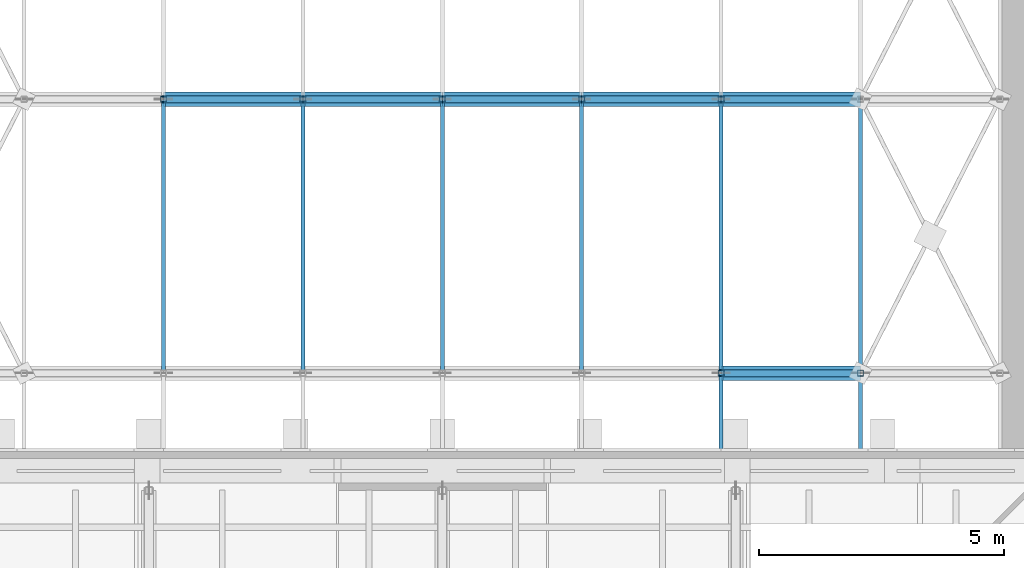
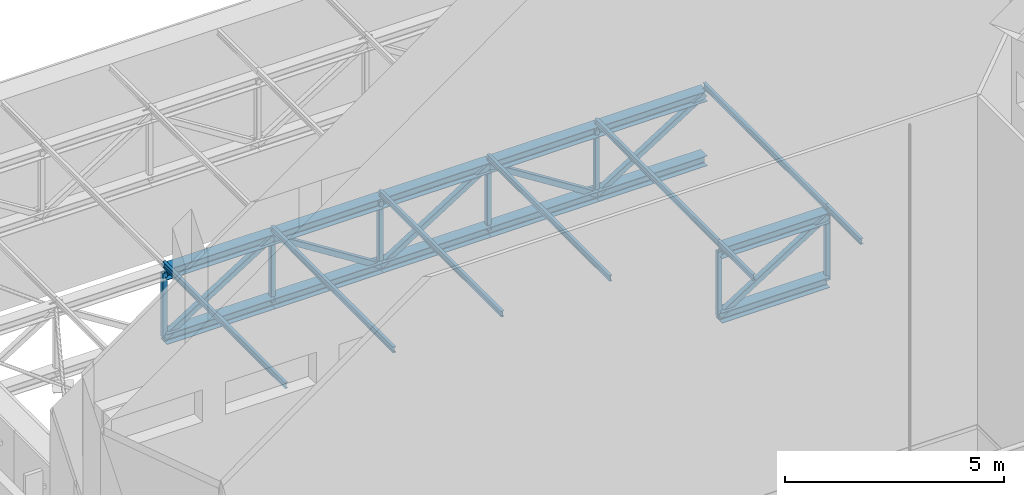
# One storey, part 38 of 55: 33 members.
"""IFC4 building model written with IfcOpenShell, lengths in metres."""

import ifcopenshell
import ifcopenshell.guid

model = None  # the IFC model being written
_history = None  # IfcOwnerHistory: only IFC2X3 demands one
_inside = {}  # id of a spatial element -> (the spatial element, [elements in it])
_under = {}  # id of a project, library or spatial element -> (it, [spatial elements below it])
_declared = {}  # id of a project -> (the project, [libraries it declares])
_typed = {}  # id of a type object -> (the type object, [elements of that type])
_made_of = {}  # id of a material, layer set ... -> (it, [elements and type objects made of it])


def new_model(schema):
    """Start an empty IFC model of exactly this schema.

    Asked for "IFC4X3", IfcOpenShell would pick the latest addendum, in which some entities
    have other attributes; the version numbers below select the first issue.
    IFC2X3 requires an IfcOwnerHistory on every rooted entity: one is made here for all.
    """
    global model, _history
    if schema == "IFC4X3":
        model = ifcopenshell.file(schema_version=(4, 3, 0, 0))
    else:
        model = ifcopenshell.file(schema=schema)
    _inside.clear()
    _under.clear()
    _declared.clear()
    _typed.clear()
    _made_of.clear()
    _history = None
    if model.schema == "IFC2X3":
        org = make("IfcOrganization", Name="unknown")
        user = make(
            "IfcPersonAndOrganization",
            ThePerson=make("IfcPerson", FamilyName="unknown"),
            TheOrganization=org,
        )
        app = make(
            "IfcApplication",
            ApplicationDeveloper=org,
            Version="unknown",
            ApplicationFullName="unknown",
            ApplicationIdentifier="unknown",
        )
        _history = make(
            "IfcOwnerHistory",
            OwningUser=user,
            OwningApplication=app,
            ChangeAction="ADDED",
            CreationDate=0,
        )
    return model


def make(cls, **values):
    """One entity of the class cls with the attributes given. An attribute that is None is left unset."""
    return model.create_entity(
        cls, **{name: value for name, value in values.items() if value is not None}
    )


def rooted(cls, **values):
    """An entity with a GlobalId (a new one), such as an element, a storey or a relation."""
    return make(cls, GlobalId=ifcopenshell.guid.new(), OwnerHistory=_history, **values)


def si_unit(unit_type, name, prefix=None):
    """IfcSIUnit, for example si_unit("LENGTHUNIT", "METRE", prefix="MILLI")."""
    return make("IfcSIUnit", UnitType=unit_type, Prefix=prefix, Name=name)


def assignment(units):
    """IfcUnitAssignment: the units of a project."""
    return None if units is None else make("IfcUnitAssignment", Units=units)


def point(xyz):
    """IfcCartesianPoint."""
    return None if xyz is None else make("IfcCartesianPoint", Coordinates=xyz)


def direction(xyz):
    """IfcDirection."""
    return None if xyz is None else make("IfcDirection", DirectionRatios=xyz)


def frame(location, z_axis=None, x_axis=None):
    """IfcAxis2Placement3D, a coordinate frame: its origin and axes. An axis left out is left unset."""
    return make(
        "IfcAxis2Placement3D",
        Location=point(location),
        Axis=direction(z_axis),
        RefDirection=direction(x_axis),
    )


def frame_2d(location, x_axis=None):
    """IfcAxis2Placement2D, a coordinate frame in the plane: its origin and x axis."""
    return make(
        "IfcAxis2Placement2D", Location=point(location), RefDirection=direction(x_axis)
    )


def origin():
    """The frame at (0, 0, 0) with its axes left unset."""
    return frame((0.0, 0.0, 0.0))


def origin_2d():
    """The frame at (0, 0) in the plane with its x axis left unset."""
    return frame_2d((0.0, 0.0))


def place(relative_to, where):
    """IfcLocalPlacement: puts the frame where relative to a parent placement (None: the world)."""
    return make(
        "IfcLocalPlacement", PlacementRelTo=relative_to, RelativePlacement=where
    )


def context(
    kind, dimensions, precision=None, world=None, true_north=None, identifier=None
):
    """IfcGeometricRepresentationContext, for example the 3D "Model" context."""
    return make(
        "IfcGeometricRepresentationContext",
        ContextIdentifier=identifier,
        ContextType=kind,
        CoordinateSpaceDimension=dimensions,
        Precision=precision,
        WorldCoordinateSystem=world,
        TrueNorth=true_north,
    )


def subcontext(parent, identifier, kind, view, scale=None):
    """IfcGeometricRepresentationSubContext, for example "Body" below "Model"."""
    return make(
        "IfcGeometricRepresentationSubContext",
        ContextIdentifier=identifier,
        ContextType=kind,
        ParentContext=parent,
        TargetScale=scale,
        TargetView=view,
    )


def project(units=None, contexts=None):
    """IfcProject with its units and contexts."""
    return rooted(
        "IfcProject",
        Name="project",
        RepresentationContexts=contexts,
        UnitsInContext=assignment(units),
    )


def spatial(cls, under=None, at=None, **own):
    """A site, building, storey or space (cls), placed at a placement, below another one or the project."""
    s = rooted(cls, ObjectPlacement=at, **own)
    if under is not None:
        _under.setdefault(under.id(), (under, []))[1].append(s)
    return s


def profile(cls, at=None, kind="AREA", **sizes):
    """A parametric profile (cls). Its sizes go by their IFC names, for example OverallWidth=200.0."""
    return make(cls, ProfileType=kind, Position=at, **sizes)


def hollow_rectangle(**sizes):
    """IfcRectangleHollowProfileDef."""
    return profile("IfcRectangleHollowProfileDef", **sizes)


def i_section(**sizes):
    """IfcIShapeProfileDef."""
    return profile("IfcIShapeProfileDef", **sizes)


def extrude(swept, where, along, depth):
    """IfcExtrudedAreaSolid: the profile swept, set in the frame where, extruded along a direction by depth."""
    return make(
        "IfcExtrudedAreaSolid",
        SweptArea=swept,
        Position=where,
        ExtrudedDirection=direction(along),
        Depth=depth,
    )


def shape(context_of_items, identifier, shape_type, items):
    """IfcShapeRepresentation: the items that make up one representation, for example the "Body"."""
    return make(
        "IfcShapeRepresentation",
        ContextOfItems=context_of_items,
        RepresentationIdentifier=identifier,
        RepresentationType=shape_type,
        Items=items,
    )


def material(Name=None, Category=None):
    """IfcMaterial."""
    return make("IfcMaterial", Name=Name, Category=Category)


def material_profile(
    of_material, cross_section, Name=None, Category=None, Priority=None
):
    """IfcMaterialProfile: a cross section and its material."""
    return make(
        "IfcMaterialProfile",
        Name=Name,
        Material=of_material,
        Profile=cross_section,
        Priority=Priority,
        Category=Category,
    )


def profile_set(profiles, Name=None, composite=None):
    """IfcMaterialProfileSet."""
    return make(
        "IfcMaterialProfileSet",
        Name=Name,
        MaterialProfiles=profiles,
        CompositeProfile=composite,
    )


def made_of(thing, what):
    """Note that an element or type object is made of a material, layer set ...; save() writes the relation."""
    if what is not None:
        _made_of.setdefault(what.id(), (what, []))[1].append(thing)
    return thing


def type_object(cls, material=None, **own):
    """A type object (cls), such as IfcWallType, which elements share."""
    return made_of(rooted(cls, **own), material)


def element(
    cls,
    number,
    at=None,
    inside=None,
    cuts=None,
    type_object=None,
    material=None,
    context=None,
    identifier="Body",
    shape_type=None,
    held_by="IfcProductDefinitionShape",
    body=None,
    shapes=None,
    **own,
):
    """One element of the class cls, such as IfcWall. Its Tag is "e" and its number.

    at: its placement. inside: the storey or other place that contains it. cuts: it is an
    opening in that element (IfcRelVoidsElement). A single representation is given by context,
    identifier, shape_type and body (its items); several are given by shapes. held_by: the class
    of the entity that holds the representations. save() writes the other relations.
    """
    e = rooted(cls, Tag="e%d" % number, ObjectPlacement=at, **own)
    if body is not None:
        shapes = [shape(context, identifier, shape_type, body)]
    if shapes is not None:
        e.Representation = make(held_by, Representations=shapes)
    if inside is not None:
        _inside.setdefault(inside.id(), (inside, []))[1].append(e)
    if cuts is not None:
        rooted(
            "IfcRelVoidsElement", RelatingBuildingElement=cuts, RelatedOpeningElement=e
        )
    if type_object is not None:
        _typed.setdefault(type_object.id(), (type_object, []))[1].append(e)
    return made_of(e, material)


def aggregate(whole, parts):
    """IfcRelAggregates: a whole, such as a stair, and the parts it consists of."""
    return rooted("IfcRelAggregates", RelatingObject=whole, RelatedObjects=parts)


def save(model, path):
    """Write the relations noted so far, then the file.

    IfcRelAggregates (storeys below a building ...), IfcRelContainedInSpatialStructure (elements
    in a storey), IfcRelDefinesByType, IfcRelAssociatesMaterial and IfcRelDeclares: one each for
    every whole, place, type object, material and project.
    """
    for whole, parts in _under.values():
        aggregate(whole, parts)
    for where, things in _inside.values():
        rooted(
            "IfcRelContainedInSpatialStructure",
            RelatedElements=things,
            RelatingStructure=where,
        )
    for kind, things in _typed.values():
        rooted("IfcRelDefinesByType", RelatedObjects=things, RelatingType=kind)
    for what, things in _made_of.values():
        rooted("IfcRelAssociatesMaterial", RelatedObjects=things, RelatingMaterial=what)
    for by, libraries in _declared.values():
        rooted("IfcRelDeclares", RelatingContext=by, RelatedDefinitions=libraries)
    model.write(path)


model = new_model("IFC4")

# Units and contexts
model_context = context("Model", 3, precision=1e-05, world=origin(), true_north=direction((0.0, 1.0)))
body_context = subcontext(model_context, "Body", "Model", "MODEL_VIEW")
ifc_project = project(units=[si_unit("LENGTHUNIT", "METRE"), si_unit("AREAUNIT", "SQUARE_METRE"), si_unit("VOLUMEUNIT", "CUBIC_METRE"), si_unit("PLANEANGLEUNIT", "RADIAN"), si_unit("MASSUNIT", "GRAM", prefix="KILO")], contexts=[model_context])

# Site, building, storey
site_placement = place(None, origin())
site = spatial("IfcSite", under=ifc_project, at=site_placement, CompositionType="ELEMENT")
building_placement = place(site_placement, origin())
building = spatial("IfcBuilding", under=site, at=building_placement, Name="Lunette Opera House", CompositionType="ELEMENT")
storey_placement = place(building_placement, frame((0.0, 0.0, 34.0)))
storey = spatial("IfcBuildingStorey", under=building, at=storey_placement, Name="L06", CompositionType="ELEMENT", Elevation=34.0)

# Members
ifc_material_1 = material(Name="Steel S355", Category="steel")
ifc_material_profile_1 = material_profile(ifc_material_1, i_section(OverallWidth=0.300048828125, OverallDepth=0.2900390625, WebThickness=0.008544921875, FlangeThickness=0.013916015625, FilletRadius=0.027099609375, at=origin_2d()), Name="HEA 300")
ifc_profile_set_1 = profile_set([ifc_material_profile_1], Name="Steel S355")
member_type_1 = type_object("IfcMemberType", Name="CHORD HEA 300", PredefinedType="CHORD", material=ifc_profile_set_1)
for number, where, z_axis, x_axis, name in (
    (1, (101.699951171875, 122.39990234375, 5.574951171875), (1.0, 0.0, 0.0), (0.0, 1.0, 0.0), "mem-ST-L06-SR-TR01-TC7"),
    (2, (101.699951171875, 122.39990234375, 3.77490234375), (1.0, 0.0, 0.0), (0.0, 1.0, 0.0), "mem-ST-L06-SR-TR01-BC7"),
):
    element("IfcMember", number, at=place(storey_placement, frame(where, z_axis=z_axis, x_axis=x_axis)), inside=storey, type_object=member_type_1, Name=name, PredefinedType="CHORD", context=body_context, shape_type="SweptSolid", body=[
        extrude(i_section(OverallWidth=0.300048828125, OverallDepth=0.2900390625, WebThickness=0.008544921875, FlangeThickness=0.013916015625, FilletRadius=0.027099609375, at=origin_2d()), origin(), (0.0, 0.0, 1.0), 2.85009765625),
    ])
for number, where, z_axis, x_axis, name in (
    (3, (90.300048828125, 128.0, 5.574951171875), (1.0, 0.0, 0.0), (0.0, 1.0, 0.0), "mem-ST-L06-SR-TR02-TC3"),
    (4, (90.300048828125, 128.0, 3.77490234375), (1.0, 0.0, 0.0), (0.0, 1.0, 0.0), "mem-ST-L06-SR-TR02-BC3"),
):
    element("IfcMember", number, at=place(storey_placement, frame(where, z_axis=z_axis, x_axis=x_axis)), inside=storey, type_object=member_type_1, Name=name, PredefinedType="CHORD", context=body_context, shape_type="SweptSolid", body=[
        extrude(i_section(OverallWidth=0.300048828125, OverallDepth=0.2900390625, WebThickness=0.008544921875, FlangeThickness=0.013916015625, FilletRadius=0.027099609375, at=origin_2d()), origin(), (0.0, 0.0, 1.0), 2.849853515625),
    ])
for number, where, z_axis, x_axis, name in (
    (5, (93.14990234375, 128.0, 5.574951171875), (1.0, 0.0, 0.0), (0.0, 1.0, 0.0), "mem-ST-L06-SR-TR02-TC4"),
    (6, (93.14990234375, 128.0, 3.77490234375), (1.0, 0.0, 0.0), (0.0, 1.0, 0.0), "mem-ST-L06-SR-TR02-BC4"),
    (7, (96.0, 128.0, 5.574951171875), (1.0, 0.0, 0.0), (0.0, 1.0, 0.0), "mem-ST-L06-SR-TR02-TC5"),
    (8, (96.0, 128.0, 3.77490234375), (1.0, 0.0, 0.0), (0.0, 1.0, 0.0), "mem-ST-L06-SR-TR02-BC5"),
):
    element("IfcMember", number, at=place(storey_placement, frame(where, z_axis=z_axis, x_axis=x_axis)), inside=storey, type_object=member_type_1, Name=name, PredefinedType="CHORD", context=body_context, shape_type="SweptSolid", body=[
        extrude(i_section(OverallWidth=0.300048828125, OverallDepth=0.2900390625, WebThickness=0.008544921875, FlangeThickness=0.013916015625, FilletRadius=0.027099609375, at=origin_2d()), origin(), (0.0, 0.0, 1.0), 2.85009765625),
    ])
for number, where, z_axis, x_axis, name in (
    (9, (98.85009765625, 128.0, 5.574951171875), (1.0, 0.0, 0.0), (0.0, 1.0, 0.0), "mem-ST-L06-SR-TR02-TC6"),
    (10, (98.85009765625, 128.0, 3.77490234375), (1.0, 0.0, 0.0), (0.0, 1.0, 0.0), "mem-ST-L06-SR-TR02-BC6"),
):
    element("IfcMember", number, at=place(storey_placement, frame(where, z_axis=z_axis, x_axis=x_axis)), inside=storey, type_object=member_type_1, Name=name, PredefinedType="CHORD", context=body_context, shape_type="SweptSolid", body=[
        extrude(i_section(OverallWidth=0.300048828125, OverallDepth=0.2900390625, WebThickness=0.008544921875, FlangeThickness=0.013916015625, FilletRadius=0.027099609375, at=origin_2d()), origin(), (0.0, 0.0, 1.0), 2.849853515625),
    ])
for number, where, z_axis, x_axis, name in (
    (11, (101.699951171875, 128.0, 5.574951171875), (1.0, 0.0, 0.0), (0.0, 1.0, 0.0), "mem-ST-L06-SR-TR02-TC7"),
    (12, (101.699951171875, 128.0, 3.77490234375), (1.0, 0.0, 0.0), (0.0, 1.0, 0.0), "mem-ST-L06-SR-TR02-BC7"),
):
    element("IfcMember", number, at=place(storey_placement, frame(where, z_axis=z_axis, x_axis=x_axis)), inside=storey, type_object=member_type_1, Name=name, PredefinedType="CHORD", context=body_context, shape_type="SweptSolid", body=[
        extrude(i_section(OverallWidth=0.300048828125, OverallDepth=0.2900390625, WebThickness=0.008544921875, FlangeThickness=0.013916015625, FilletRadius=0.027099609375, at=origin_2d()), origin(), (0.0, 0.0, 1.0), 2.85009765625),
    ])
ifc_material_2 = material(Name="Steel S355", Category="steel")
ifc_material_profile_2 = material_profile(ifc_material_2, hollow_rectangle(XDim=0.14990234375, YDim=0.14990234375, WallThickness=0.006103515625, InnerFilletRadius=0.006103515625, OuterFilletRadius=0.011962890625, at=origin_2d()), Name="RHS 150X150X6")
ifc_profile_set_2 = profile_set([ifc_material_profile_2], Name="Steel S355")
member_type_2 = type_object("IfcMemberType", Name="DIAGONAL RHS 150X150X6", PredefinedType="BRACE", material=ifc_profile_set_2)
for number, where, z_axis, x_axis, name in (
    (13, (101.699951171875, 122.39990234375, 3.77490234375), (0.845490624019, 0.0, 0.53399026648), (0.0, 1.0, 0.0), "mem-ST-L06-SR-TR01-TD7"),
    (14, (90.300048828125, 128.0, 3.77490234375), (0.845469970423, 0.0, 0.53402296684), (0.0, 1.0, 0.0), "mem-ST-L06-SR-TR02-TD3"),
    (15, (93.14990234375, 128.0, 5.574951171875), (0.845490624019, 0.0, -0.53399026648), (0.0, 1.0, 0.0), "mem-ST-L06-SR-TR02-TD4"),
    (16, (96.0, 128.0, 3.77490234375), (0.845490624019, 0.0, 0.53399026648), (0.0, 1.0, 0.0), "mem-ST-L06-SR-TR02-TD5"),
    (17, (98.85009765625, 128.0, 5.574951171875), (0.845469970423, 0.0, -0.53402296684), (0.0, 1.0, 0.0), "mem-ST-L06-SR-TR02-TD6"),
    (18, (101.699951171875, 128.0, 3.77490234375), (0.845490624019, 0.0, 0.53399026648), (0.0, 1.0, 0.0), "mem-ST-L06-SR-TR02-TD7"),
):
    element("IfcMember", number, at=place(storey_placement, frame(where, z_axis=z_axis, x_axis=x_axis)), inside=storey, type_object=member_type_2, Name=name, PredefinedType="BRACE", context=body_context, shape_type="SweptSolid", body=[
        extrude(hollow_rectangle(XDim=0.14990234375, YDim=0.14990234375, WallThickness=0.006103515625, InnerFilletRadius=0.006103515625, OuterFilletRadius=0.011962890625, at=origin_2d()), origin(), (0.0, 0.0, 1.0), 3.370849609375),
    ])
ifc_material_3 = material(Name="Steel S355", Category="steel")
ifc_material_profile_3 = material_profile(ifc_material_3, i_section(OverallWidth=0.08203125, OverallDepth=0.159912109375, WebThickness=0.0048828125, FlangeThickness=0.00732421875, FilletRadius=0.009033203125, at=origin_2d()), Name="IPE 160")
ifc_profile_set_3 = profile_set([ifc_material_profile_3], Name="Steel S355")
member_type_3 = type_object("IfcMemberType", Name="PURLIN IPE 160", PredefinedType="PURLIN", material=ifc_profile_set_3)
for number, where, z_axis, x_axis, name in (
    (19, (90.300048828125, 122.39990234375, 5.800048828125), (0.0, 1.0, 0.0), (-1.0, 0.0, 0.0), "mem-ST-L06-SR-TR-PU3-2"),
    (20, (93.14990234375, 122.39990234375, 5.800048828125), (0.0, 1.0, 0.0), (-1.0, 0.0, 0.0), "mem-ST-L06-SR-TR-PU4-2"),
    (21, (96.0, 122.39990234375, 5.800048828125), (0.0, 1.0, 0.0), (-1.0, 0.0, 0.0), "mem-ST-L06-SR-TR-PU5-2"),
    (22, (98.85009765625, 122.39990234375, 5.800048828125), (0.0, 1.0, 0.0), (-1.0, 0.0, 0.0), "mem-ST-L06-SR-TR-PU6-2"),
):
    element("IfcMember", number, at=place(storey_placement, frame(where, z_axis=z_axis, x_axis=x_axis)), inside=storey, type_object=member_type_3, Name=name, PredefinedType="PURLIN", context=body_context, shape_type="SweptSolid", body=[
        extrude(i_section(OverallWidth=0.08203125, OverallDepth=0.159912109375, WebThickness=0.0048828125, FlangeThickness=0.00732421875, FilletRadius=0.009033203125, at=origin_2d()), origin(), (0.0, 0.0, 1.0), 5.60009765625),
    ])
member_1_placement = place(storey_placement, frame((101.699951171875, 120.800048828125, 5.800048828125), z_axis=(0.0, 1.0, 0.0), x_axis=(-1.0, 0.0, 0.0)))
element("IfcMember", 23, at=member_1_placement, inside=storey, type_object=member_type_3, Name="mem-ST-L06-SR-TR-PU7-1", PredefinedType="PURLIN", context=body_context, shape_type="SweptSolid", body=[
    extrude(i_section(OverallWidth=0.08203125, OverallDepth=0.159912109375, WebThickness=0.0048828125, FlangeThickness=0.00732421875, FilletRadius=0.009033203125, at=origin_2d()), origin(), (0.0, 0.0, 1.0), 1.599853515625),
])
member_2_placement = place(storey_placement, frame((101.699951171875, 122.39990234375, 5.800048828125), z_axis=(0.0, 1.0, 0.0), x_axis=(-1.0, 0.0, 0.0)))
element("IfcMember", 24, at=member_2_placement, inside=storey, type_object=member_type_3, Name="mem-ST-L06-SR-TR-PU7-2", PredefinedType="PURLIN", context=body_context, shape_type="SweptSolid", body=[
    extrude(i_section(OverallWidth=0.08203125, OverallDepth=0.159912109375, WebThickness=0.0048828125, FlangeThickness=0.00732421875, FilletRadius=0.009033203125, at=origin_2d()), origin(), (0.0, 0.0, 1.0), 5.60009765625),
])
member_3_placement = place(storey_placement, frame((104.550048828125, 120.800048828125, 5.800048828125), z_axis=(0.0, 1.0, 0.0), x_axis=(-1.0, 0.0, 0.0)))
element("IfcMember", 25, at=member_3_placement, inside=storey, type_object=member_type_3, Name="mem-ST-L06-SR-TR-PU8-1", PredefinedType="PURLIN", context=body_context, shape_type="SweptSolid", body=[
    extrude(i_section(OverallWidth=0.08203125, OverallDepth=0.159912109375, WebThickness=0.0048828125, FlangeThickness=0.00732421875, FilletRadius=0.009033203125, at=origin_2d()), origin(), (0.0, 0.0, 1.0), 1.599853515625),
])
member_4_placement = place(storey_placement, frame((104.550048828125, 122.39990234375, 5.800048828125), z_axis=(0.0, 1.0, 0.0), x_axis=(-1.0, 0.0, 0.0)))
element("IfcMember", 26, at=member_4_placement, inside=storey, type_object=member_type_3, Name="mem-ST-L06-SR-TR-PU8-2", PredefinedType="PURLIN", context=body_context, shape_type="SweptSolid", body=[
    extrude(i_section(OverallWidth=0.08203125, OverallDepth=0.159912109375, WebThickness=0.0048828125, FlangeThickness=0.00732421875, FilletRadius=0.009033203125, at=origin_2d()), origin(), (0.0, 0.0, 1.0), 5.60009765625),
])
ifc_material_4 = material(Name="Steel S355", Category="steel")
ifc_material_profile_4 = material_profile(ifc_material_4, hollow_rectangle(XDim=0.1201171875, YDim=0.1201171875, WallThickness=0.0048828125, InnerFilletRadius=0.0048828125, OuterFilletRadius=0.010009765625, at=origin_2d()), Name="RHS 120X120X5")
ifc_profile_set_4 = profile_set([ifc_material_profile_4], Name="Steel S355")
member_type_4 = type_object("IfcMemberType", Name="VERTICAL RHS 120X120X5", PredefinedType="POST", material=ifc_profile_set_4)
for number, where, z_axis, x_axis, name in (
    (27, (101.699951171875, 122.39990234375, 3.77490234375), (0.0, 0.0, 1.0), (1.0, 0.0, 0.0), "mem-ST-L06-SR-TR01-TV7"),
    (28, (104.550048828125, 122.39990234375, 3.77490234375), (0.0, 0.0, 1.0), (1.0, 0.0, 0.0), "mem-ST-L06-SR-TR01-TV8"),
    (29, (90.300048828125, 128.0, 3.77490234375), (0.0, 0.0, 1.0), (1.0, 0.0, 0.0), "mem-ST-L06-SR-TR02-TV3"),
    (30, (93.14990234375, 128.0, 3.77490234375), (0.0, 0.0, 1.0), (1.0, 0.0, 0.0), "mem-ST-L06-SR-TR02-TV4"),
    (31, (96.0, 128.0, 3.77490234375), (0.0, 0.0, 1.0), (1.0, 0.0, 0.0), "mem-ST-L06-SR-TR02-TV5"),
    (32, (98.85009765625, 128.0, 3.77490234375), (0.0, 0.0, 1.0), (1.0, 0.0, 0.0), "mem-ST-L06-SR-TR02-TV6"),
    (33, (101.699951171875, 128.0, 3.77490234375), (0.0, 0.0, 1.0), (1.0, 0.0, 0.0), "mem-ST-L06-SR-TR02-TV7"),
):
    element("IfcMember", number, at=place(storey_placement, frame(where, z_axis=z_axis, x_axis=x_axis)), inside=storey, type_object=member_type_4, Name=name, PredefinedType="POST", context=body_context, shape_type="SweptSolid", body=[
        extrude(hollow_rectangle(XDim=0.1201171875, YDim=0.1201171875, WallThickness=0.0048828125, InnerFilletRadius=0.0048828125, OuterFilletRadius=0.010009765625, at=origin_2d()), origin(), (0.0, 0.0, 1.0), 1.800048828125),
    ])

save(model, "model.ifc")
